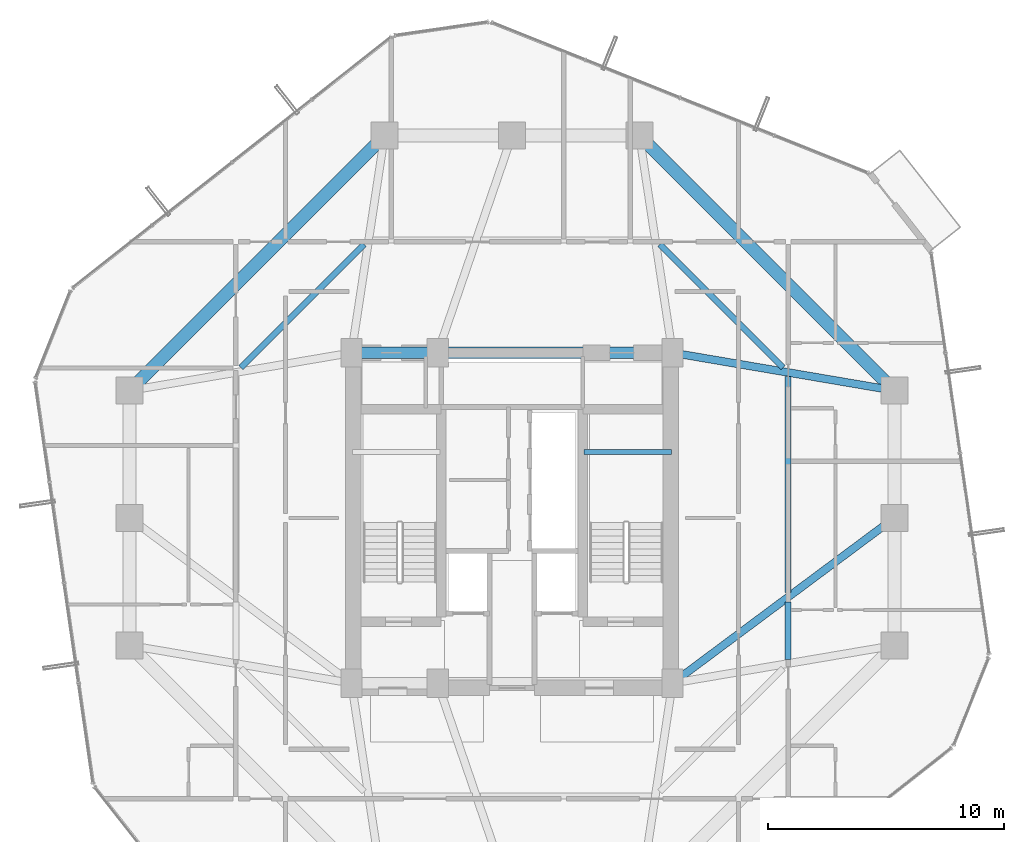
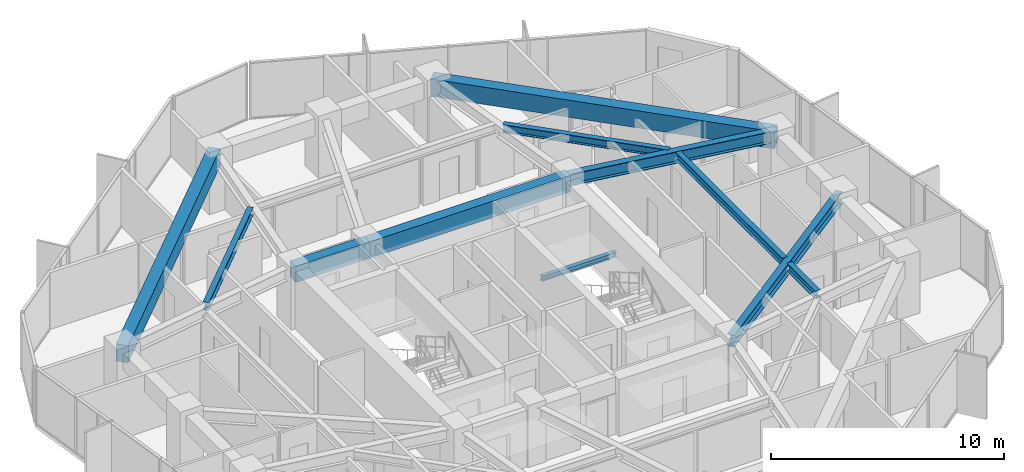
# One storey, part 13 of 34: 11 beams.
"""IFC4 building model written with IfcOpenShell, lengths in metres."""

from ifc_helpers import new_model, si_unit, direction, frame, origin, origin_2d, place, context, subcontext, project, spatial, rectangle, i_section, extrude, material, material_profile, profile_set, type_object, element, save


model = new_model("IFC4")

# Units and contexts
model_context = context("Model", 3, precision=1e-05, world=origin(), true_north=direction((0.0, 1.0)))
body_context = subcontext(model_context, "Body", "Model", "MODEL_VIEW")
ifc_project = project(units=[si_unit("LENGTHUNIT", "METRE"), si_unit("AREAUNIT", "SQUARE_METRE"), si_unit("VOLUMEUNIT", "CUBIC_METRE"), si_unit("PLANEANGLEUNIT", "RADIAN"), si_unit("MASSUNIT", "GRAM", prefix="KILO")], contexts=[model_context])

# Site, building, storey
site_placement = place(None, origin())
site = spatial("IfcSite", under=ifc_project, at=site_placement, CompositionType="ELEMENT")
building_placement = place(site_placement, origin())
building = spatial("IfcBuilding", under=site, at=building_placement, Name="Veraguas Prism Commons", CompositionType="ELEMENT")
storey_placement = place(building_placement, frame((0.0, 0.0, 155.5)))
storey = spatial("IfcBuildingStorey", under=building, at=storey_placement, Name="L44", CompositionType="ELEMENT", Elevation=155.5)

# Beams
ifc_material_1 = material(Name="Concrete C50/60", Category="concrete")
ifc_material_profile_1 = material_profile(ifc_material_1, rectangle(XDim=0.5, YDim=0.85009765625, at=origin_2d()), Name="RC500X850")
ifc_profile_set_1 = profile_set([ifc_material_profile_1], Name="Concrete C50/60")
beam_type_1 = type_object("IfcBeamType", Name="Core Coupling Beam RC 500x850", PredefinedType="BEAM", material=ifc_profile_set_1)
beam_1_placement = place(storey_placement, frame((17.199951171875, 31.0, 2.544921875), z_axis=(1.0, 0.0, 0.0), x_axis=(0.0, 1.0, 0.0)))
element("IfcBeam", 1, at=beam_1_placement, inside=storey, type_object=beam_type_1, Name="Core Coupling Beam L44-CRN1", PredefinedType="BEAM", context=body_context, shape_type="SweptSolid", body=[
    extrude(rectangle(XDim=0.5, YDim=0.85009765625, at=origin_2d()), origin(), (0.0, 0.0, 1.0), 3.650146484375),
])
beam_2_placement = place(storey_placement, frame((20.85009765625, 31.0, 2.544921875), z_axis=(1.0, 0.0, 0.0), x_axis=(0.0, 1.0, 0.0)))
element("IfcBeam", 2, at=beam_2_placement, inside=storey, type_object=beam_type_1, Name="Core Coupling Beam L44-CRN2", PredefinedType="BEAM", context=body_context, shape_type="SweptSolid", body=[
    extrude(rectangle(XDim=0.5, YDim=0.85009765625, at=origin_2d()), origin(), (0.0, 0.0, 1.0), 9.949951171875),
])
ifc_material_2 = material(Name="Steel ASTM A992 Grade 50", Category="steel")
ifc_material_profile_2 = material_profile(ifc_material_2, i_section(OverallWidth=0.260986328125, OverallDepth=0.419921875, WebThickness=0.01171875, FlangeThickness=0.019287109375, at=origin_2d()), Name="W410X114")
ifc_profile_set_2 = profile_set([ifc_material_profile_2], Name="Steel ASTM A992 Grade 50")
beam_type_2 = type_object("IfcBeamType", Name="Lower Floor Joist W410x114", PredefinedType="JOIST", material=ifc_profile_set_2)
beam_3_placement = place(storey_placement, frame((35.68798828125, 17.996337890625, 2.760009765625), z_axis=(0.0, 1.0, 0.0), x_axis=(-1.0, 0.0, 0.0)))
element("IfcBeam", 3, at=beam_3_placement, inside=storey, type_object=beam_type_2, Name="Composite Floor Joist L44-JS01", PredefinedType="JOIST", context=body_context, shape_type="SweptSolid", body=[
    extrude(i_section(OverallWidth=0.260986328125, OverallDepth=0.419921875, WebThickness=0.01171875, FlangeThickness=0.019287109375, at=origin_2d()), origin(), (0.0, 0.0, 1.0), 2.441650390625),
])
beam_4_placement = place(storey_placement, frame((35.68798828125, 20.842041015625, 2.760009765625), z_axis=(0.0, 1.0, 0.0), x_axis=(-1.0, 0.0, 0.0)))
element("IfcBeam", 4, at=beam_4_placement, inside=storey, type_object=beam_type_2, Name="Composite Floor Joist L44-JS02", PredefinedType="JOIST", context=body_context, shape_type="SweptSolid", body=[
    extrude(i_section(OverallWidth=0.260986328125, OverallDepth=0.419921875, WebThickness=0.01171875, FlangeThickness=0.019287109375, at=origin_2d()), origin(), (0.0, 0.0, 1.0), 9.16162109375),
])
for number, where, z_axis, x_axis, name in (
    (5, (35.489990234375, 30.365966796875, 2.760009765625), (-0.707090260193, 0.707123301794, 0.0), (-0.707123301794, -0.707090260193, 0.0), "Composite Floor Joist L44-JS03"),
    (6, (17.734619140625, 35.5908203125, 2.760009765625), (-0.707090260193, -0.707123301794, 0.0), (0.707123301794, -0.707090260193, 0.0), "Composite Floor Joist L44-JS06"),
):
    element("IfcBeam", number, at=place(storey_placement, frame(where, z_axis=z_axis, x_axis=x_axis)), inside=storey, type_object=beam_type_2, Name=name, PredefinedType="JOIST", context=body_context, shape_type="SweptSolid", body=[
        extrude(i_section(OverallWidth=0.260986328125, OverallDepth=0.419921875, WebThickness=0.01171875, FlangeThickness=0.019287109375, at=origin_2d()), origin(), (0.0, 0.0, 1.0), 7.388916015625),
    ])
ifc_material_profile_3 = material_profile(ifc_material_1, rectangle(XDim=0.550048828125, YDim=0.89990234375, at=origin_2d()), Name="RC550X900")
ifc_profile_set_3 = profile_set([ifc_material_profile_3], Name="Concrete C50/60")
beam_type_3 = type_object("IfcBeamType", Name="Perimeter Spandrel Lower RC 550x900", PredefinedType="SPANDREL", material=ifc_profile_set_3)
for number, where, z_axis, x_axis, name in (
    (7, (40.199951171875, 29.39990234375, 2.52001953125), (-0.707106781187, 0.707106781187, 0.0), (-0.707106781187, -0.707106781187, 0.0), "Perimeter Spandrel Beam L44-SP03"),
    (8, (18.60009765625, 40.199951171875, 2.52001953125), (-0.707106781187, -0.707106781187, 0.0), (0.707106781187, -0.707106781187, 0.0), "Perimeter Spandrel Beam L44-SP06"),
):
    element("IfcBeam", number, at=place(storey_placement, frame(where, z_axis=z_axis, x_axis=x_axis)), inside=storey, type_object=beam_type_3, Name=name, PredefinedType="SPANDREL", context=body_context, shape_type="SweptSolid", body=[
        extrude(rectangle(XDim=0.550048828125, YDim=0.89990234375, at=origin_2d()), origin(), (0.0, 0.0, 1.0), 15.273681640625),
    ])
ifc_material_profile_4 = material_profile(ifc_material_2, i_section(OverallWidth=0.202880859375, OverallDepth=0.251953125, WebThickness=0.008056640625, FlangeThickness=0.013427734375, at=origin_2d()), Name="W250X58")
ifc_profile_set_4 = profile_set([ifc_material_profile_4], Name="Steel ASTM A992 Grade 50")
beam_type_4 = type_object("IfcBeamType", Name="Structural Opening Lintel W250x58", PredefinedType="LINTEL", material=ifc_profile_set_4)
beam_5_placement = place(storey_placement, frame((27.050048828125, 26.800048828125, 1.299072265625), z_axis=(1.0, 0.0, 0.0), x_axis=(0.0, 1.0, 0.0)))
element("IfcBeam", 9, at=beam_5_placement, inside=storey, type_object=beam_type_4, Name="Stair ST-02 Half-Landing Support Beam L44-1", PredefinedType="LINTEL", context=body_context, shape_type="SweptSolid", body=[
    extrude(i_section(OverallWidth=0.202880859375, OverallDepth=0.251953125, WebThickness=0.008056640625, FlangeThickness=0.013427734375, at=origin_2d()), origin(), (0.0, 0.0, 1.0), 3.699951171875),
])
ifc_material_profile_5 = material_profile(ifc_material_2, i_section(OverallWidth=0.327880859375, OverallDepth=0.6220703125, WebThickness=0.015380859375, FlangeThickness=0.0244140625, at=origin_2d()), Name="W610X195")
ifc_profile_set_5 = profile_set([ifc_material_profile_5], Name="Steel ASTM A992 Grade 50")
beam_type_5 = type_object("IfcBeamType", Name="Zone 2 Radial Girder W610x195", PredefinedType="BEAM", material=ifc_profile_set_5)
beam_6_placement = place(storey_placement, frame((40.199951171875, 24.0, 2.658935546875), z_axis=(-0.802040137921, -0.597270137512, 0.0), x_axis=(0.597270137512, -0.802040137921, 0.0)))
element("IfcBeam", 10, at=beam_6_placement, inside=storey, type_object=beam_type_5, Name="Radial Floor Girder L44-RD02", PredefinedType="BEAM", context=body_context, shape_type="SweptSolid", body=[
    extrude(i_section(OverallWidth=0.327880859375, OverallDepth=0.6220703125, WebThickness=0.015380859375, FlangeThickness=0.0244140625, at=origin_2d()), origin(), (0.0, 0.0, 1.0), 11.719970703125),
])
beam_7_placement = place(storey_placement, frame((40.199951171875, 29.39990234375, 2.658935546875), z_axis=(-0.985819187151, 0.1678109956, 0.0), x_axis=(-0.1678109956, -0.985819187151, 0.0)))
element("IfcBeam", 11, at=beam_7_placement, inside=storey, type_object=beam_type_5, Name="Radial Floor Girder L44-RD03", PredefinedType="BEAM", context=body_context, shape_type="SweptSolid", body=[
    extrude(i_section(OverallWidth=0.327880859375, OverallDepth=0.6220703125, WebThickness=0.015380859375, FlangeThickness=0.0244140625, at=origin_2d()), origin(), (0.0, 0.0, 1.0), 9.53515625),
])

save(model, "model.ifc")
